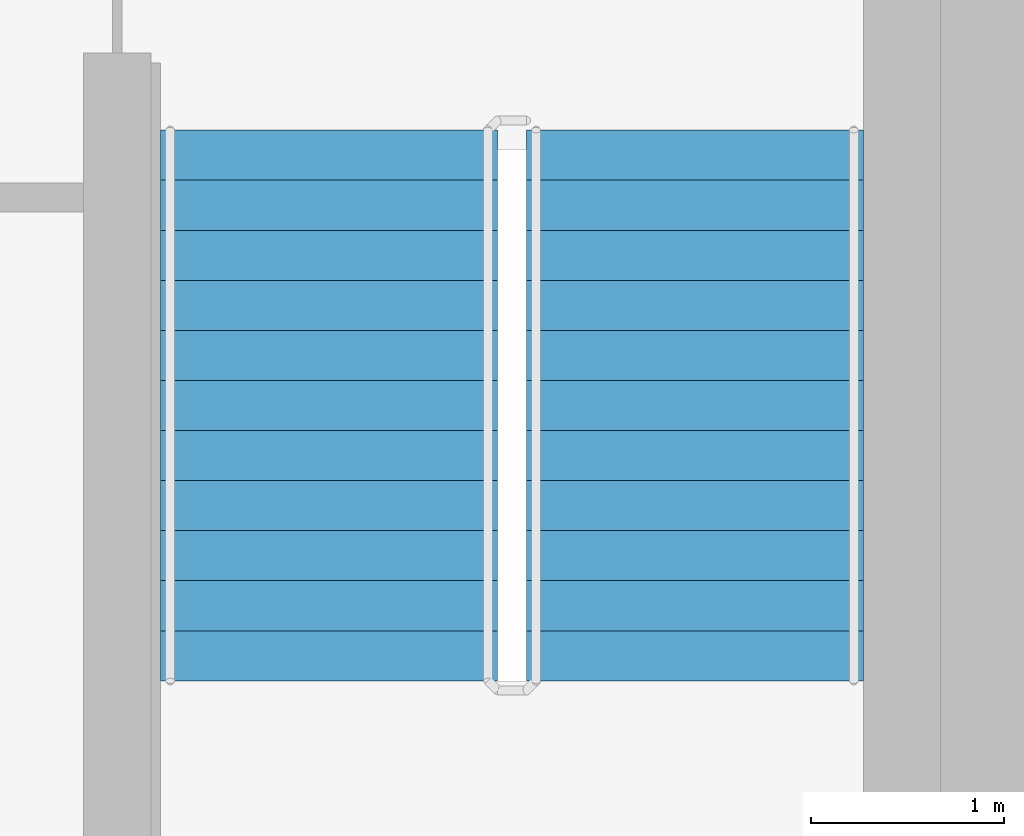
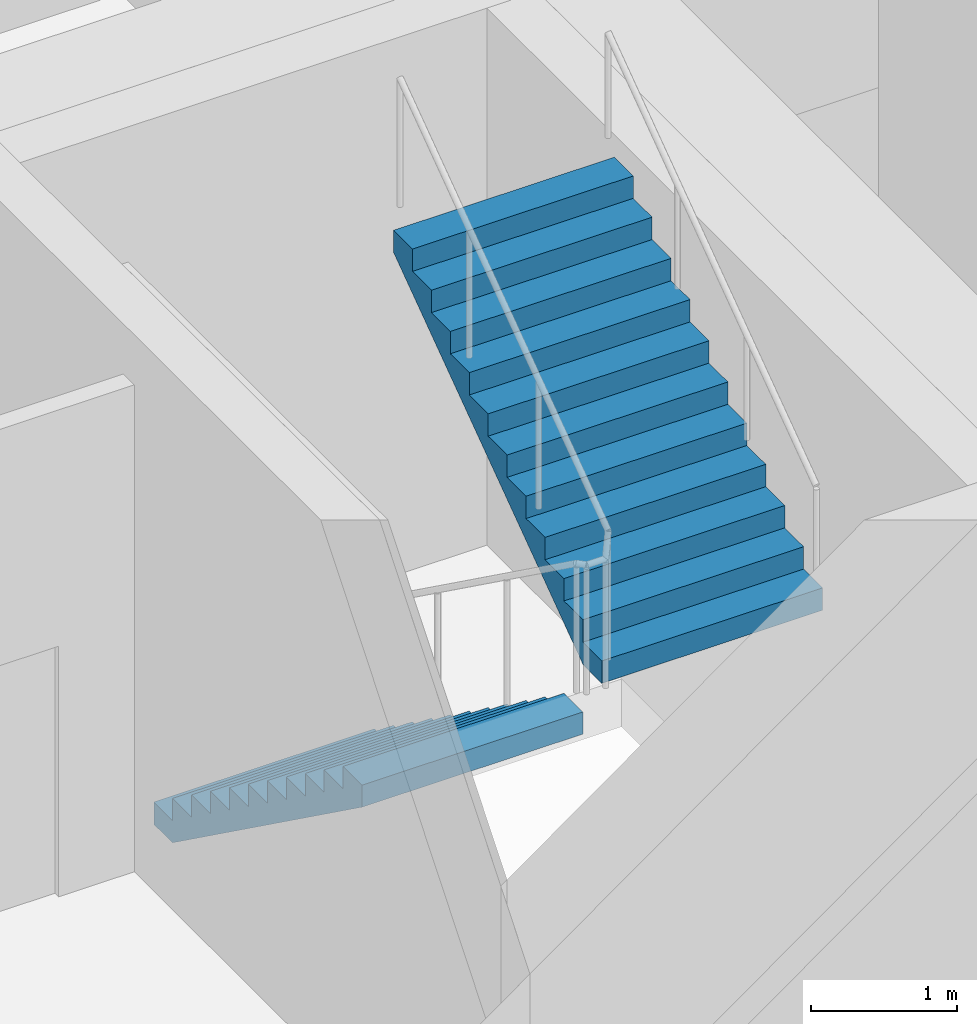
# One storey, part 20 of 26: 2 stair flights, 1 element without a shape of its own.
"""IFC4 building model written with IfcOpenShell, lengths in metres."""

from ifc_helpers import new_model, si_unit, direction, frame, origin, place, context, subcontext, project, spatial, faceted_brep, material, type_object, element, aggregate, save


model = new_model("IFC4")

# Units and contexts
model_context = context("Model", 3, precision=1e-05, world=origin(), true_north=direction((0.0, 1.0)))
body_context = subcontext(model_context, "Body", "Model", "MODEL_VIEW")
ifc_project = project(units=[si_unit("LENGTHUNIT", "METRE"), si_unit("AREAUNIT", "SQUARE_METRE"), si_unit("VOLUMEUNIT", "CUBIC_METRE"), si_unit("PLANEANGLEUNIT", "RADIAN"), si_unit("MASSUNIT", "GRAM", prefix="KILO")], contexts=[model_context])

# Site, building, storey
site_placement = place(None, origin())
site = spatial("IfcSite", under=ifc_project, at=site_placement, CompositionType="ELEMENT")
building_placement = place(site_placement, origin())
building = spatial("IfcBuilding", under=site, at=building_placement, Name="Ipe Terrace Towers", CompositionType="ELEMENT")
storey_placement = place(building_placement, frame((0.0, 0.0, 181.300048828125)))
storey = spatial("IfcBuildingStorey", under=building, at=storey_placement, Name="L50", CompositionType="ELEMENT", Elevation=181.300048828125)

# Stair, stair flights
ifc_material_1 = material(Name="Concrete C30/37", Category="concrete")
stair_type = type_object("IfcStairType", Name="Protected exit stair", PredefinedType="HALF_TURN_STAIR", material=ifc_material_1)
stair_placement = place(storey_placement, origin())
stair = element("IfcStair", 1, at=stair_placement, inside=storey, type_object=stair_type, Name="L50 Exit stair T2-C2", PredefinedType="HALF_TURN_STAIR")
ifc_material_2 = material(Name="Concrete C30/37", Category="concrete")
stair_flight_type = type_object("IfcStairFlightType", Name="Exit stair flight 1750", PredefinedType="STRAIGHT", material=ifc_material_2)
stair_flight_1_placement = place(storey_placement, frame((38.77490234375, -9.699951171875, 0.0), z_axis=(0.0, 0.0, 1.0), x_axis=(0.0, -1.0, 0.0)))
stair_flight_1 = element("IfcStairFlight", 2, at=stair_flight_1_placement, type_object=stair_flight_type, Name="T2-ST2 flight 1", NumberOfRisers=12, NumberOfTreads=11, PredefinedType="STRAIGHT", RiserHeight=0.1875, TreadLength=0.26, context=body_context, shape_type="Brep", body=[
    faceted_brep([(0.25634765625, -0.875, 0.0), (2.860107421875, -0.875, 1.877685546875), (2.860107421875, -0.875, 2.0625), (2.60009765625, -0.875, 2.0625), (2.60009765625, -0.875, 1.875), (2.340087890625, -0.875, 1.875), (2.340087890625, -0.875, 1.6875), (2.080078125, -0.875, 1.6875), (2.080078125, -0.875, 1.5), (1.820068359375, -0.875, 1.5), (1.820068359375, -0.875, 1.3125), (1.56005859375, -0.875, 1.3125), (1.56005859375, -0.875, 1.125), (1.300048828125, -0.875, 1.125), (1.300048828125, -0.875, 0.9375), (1.0400390625, -0.875, 0.9375), (1.0400390625, -0.875, 0.75), (0.780029296875, -0.875, 0.75), (0.780029296875, -0.875, 0.5625), (0.52001953125, -0.875, 0.5625), (0.52001953125, -0.875, 0.375), (0.260009765625, -0.875, 0.375), (0.260009765625, -0.875, 0.1875), (0.0, -0.875, 0.1875), (0.0, -0.875, 0.0), (0.0, 0.875, 0.0), (0.0, 0.875, 0.1875), (0.260009765625, 0.875, 0.1875), (0.260009765625, 0.875, 0.375), (0.52001953125, 0.875, 0.375), (0.52001953125, 0.875, 0.5625), (0.780029296875, 0.875, 0.5625), (0.780029296875, 0.875, 0.75), (1.0400390625, 0.875, 0.75), (1.0400390625, 0.875, 0.9375), (1.300048828125, 0.875, 0.9375), (1.300048828125, 0.875, 1.125), (1.56005859375, 0.875, 1.125), (1.56005859375, 0.875, 1.3125), (1.820068359375, 0.875, 1.3125), (1.820068359375, 0.875, 1.5), (2.080078125, 0.875, 1.5), (2.080078125, 0.875, 1.6875), (2.340087890625, 0.875, 1.6875), (2.340087890625, 0.875, 1.875), (2.60009765625, 0.875, 1.875), (2.60009765625, 0.875, 2.0625), (2.860107421875, 0.875, 2.0625), (2.860107421875, 0.875, 1.877685546875), (0.25634765625, 0.875, 0.0), (0.0, -0.300048828125, 0.1875), (0.0, -0.1201171875, 0.1875), (0.0, -0.06005859375, 0.1875), (0.0, -0.030029296875, 0.1875), (0.0, -0.010009765625, 0.1875), (0.0, 0.0, 0.1875), (0.0, 0.010009765625, 0.1875), (0.0, 0.030029296875, 0.1875), (0.0, 0.06005859375, 0.1875), (0.0, 0.1201171875, 0.1875), (0.0, 0.300048828125, 0.1875), (0.0, 0.300048828125, 0.0), (0.0, 0.1201171875, 0.0), (0.0, 0.06005859375, 0.0), (0.0, 0.030029296875, 0.0), (0.0, 0.010009765625, 0.0), (0.0, 0.0, 0.0), (0.0, -0.010009765625, 0.0), (0.0, -0.030029296875, 0.0), (0.0, -0.06005859375, 0.0), (0.0, -0.1201171875, 0.0), (0.0, -0.300048828125, 0.0), (0.260009765625, -0.300048828125, 0.1875), (0.260009765625, -0.1201171875, 0.1875), (0.260009765625, -0.06005859375, 0.1875), (0.260009765625, -0.030029296875, 0.1875), (0.260009765625, -0.010009765625, 0.1875), (0.260009765625, 0.0, 0.1875), (0.260009765625, 0.010009765625, 0.1875), (0.260009765625, 0.030029296875, 0.1875), (0.260009765625, 0.06005859375, 0.1875), (0.260009765625, 0.1201171875, 0.1875), (0.260009765625, 0.300048828125, 0.1875), (0.260009765625, -0.300048828125, 0.375), (0.260009765625, -0.1201171875, 0.375), (0.260009765625, -0.06005859375, 0.375), (0.260009765625, -0.030029296875, 0.375), (0.260009765625, -0.010009765625, 0.375), (0.260009765625, 0.0, 0.375), (0.260009765625, 0.010009765625, 0.375), (0.260009765625, 0.030029296875, 0.375), (0.260009765625, 0.06005859375, 0.375), (0.260009765625, 0.1201171875, 0.375), (0.260009765625, 0.300048828125, 0.375), (0.52001953125, -0.300048828125, 0.375), (0.52001953125, -0.1201171875, 0.375), (0.52001953125, -0.06005859375, 0.375), (0.52001953125, -0.030029296875, 0.375), (0.52001953125, -0.010009765625, 0.375), (0.52001953125, 0.0, 0.375), (0.52001953125, 0.010009765625, 0.375), (0.52001953125, 0.030029296875, 0.375), (0.52001953125, 0.06005859375, 0.375), (0.52001953125, 0.1201171875, 0.375), (0.52001953125, 0.300048828125, 0.375), (0.52001953125, -0.300048828125, 0.5625), (0.52001953125, -0.1201171875, 0.5625), (0.52001953125, -0.06005859375, 0.5625), (0.52001953125, -0.030029296875, 0.5625), (0.52001953125, -0.010009765625, 0.5625), (0.52001953125, 0.0, 0.5625), (0.52001953125, 0.010009765625, 0.5625), (0.52001953125, 0.030029296875, 0.5625), (0.52001953125, 0.06005859375, 0.5625), (0.52001953125, 0.1201171875, 0.5625), (0.52001953125, 0.300048828125, 0.5625), (0.780029296875, -0.300048828125, 0.5625), (0.780029296875, -0.1201171875, 0.5625), (0.780029296875, -0.06005859375, 0.5625), (0.780029296875, -0.030029296875, 0.5625), (0.780029296875, -0.010009765625, 0.5625), (0.780029296875, 0.0, 0.5625), (0.780029296875, 0.010009765625, 0.5625), (0.780029296875, 0.030029296875, 0.5625), (0.780029296875, 0.06005859375, 0.5625), (0.780029296875, 0.1201171875, 0.5625), (0.780029296875, 0.300048828125, 0.5625), (0.780029296875, -0.300048828125, 0.75), (0.780029296875, -0.1201171875, 0.75), (0.780029296875, -0.06005859375, 0.75), (0.780029296875, -0.030029296875, 0.75), (0.780029296875, -0.010009765625, 0.75), (0.780029296875, 0.0, 0.75), (0.780029296875, 0.010009765625, 0.75), (0.780029296875, 0.030029296875, 0.75), (0.780029296875, 0.06005859375, 0.75), (0.780029296875, 0.1201171875, 0.75), (0.780029296875, 0.300048828125, 0.75), (1.0400390625, -0.300048828125, 0.75), (1.0400390625, -0.1201171875, 0.75), (1.0400390625, -0.06005859375, 0.75), (1.0400390625, -0.030029296875, 0.75), (1.0400390625, -0.010009765625, 0.75), (1.0400390625, 0.0, 0.75), (1.0400390625, 0.010009765625, 0.75), (1.0400390625, 0.030029296875, 0.75), (1.0400390625, 0.06005859375, 0.75), (1.0400390625, 0.1201171875, 0.75), (1.0400390625, 0.300048828125, 0.75), (1.0400390625, -0.300048828125, 0.9375), (1.0400390625, -0.1201171875, 0.9375), (1.0400390625, -0.06005859375, 0.9375), (1.0400390625, -0.030029296875, 0.9375), (1.0400390625, -0.010009765625, 0.9375), (1.0400390625, 0.0, 0.9375), (1.0400390625, 0.010009765625, 0.9375), (1.0400390625, 0.030029296875, 0.9375), (1.0400390625, 0.06005859375, 0.9375), (1.0400390625, 0.1201171875, 0.9375), (1.0400390625, 0.300048828125, 0.9375), (1.300048828125, -0.300048828125, 0.9375), (1.300048828125, -0.1201171875, 0.9375), (1.300048828125, -0.06005859375, 0.9375), (1.300048828125, -0.030029296875, 0.9375), (1.300048828125, -0.010009765625, 0.9375), (1.300048828125, 0.0, 0.9375), (1.300048828125, 0.010009765625, 0.9375), (1.300048828125, 0.030029296875, 0.9375), (1.300048828125, 0.06005859375, 0.9375), (1.300048828125, 0.1201171875, 0.9375), (1.300048828125, 0.300048828125, 0.9375), (1.300048828125, -0.300048828125, 1.125), (1.300048828125, -0.1201171875, 1.125), (1.300048828125, -0.06005859375, 1.125), (1.300048828125, -0.030029296875, 1.125), (1.300048828125, -0.010009765625, 1.125), (1.300048828125, 0.0, 1.125), (1.300048828125, 0.010009765625, 1.125), (1.300048828125, 0.030029296875, 1.125), (1.300048828125, 0.06005859375, 1.125), (1.300048828125, 0.1201171875, 1.125), (1.300048828125, 0.300048828125, 1.125), (1.56005859375, -0.300048828125, 1.125), (1.56005859375, -0.1201171875, 1.125), (1.56005859375, -0.06005859375, 1.125), (1.56005859375, -0.030029296875, 1.125), (1.56005859375, -0.010009765625, 1.125), (1.56005859375, 0.0, 1.125), (1.56005859375, 0.010009765625, 1.125), (1.56005859375, 0.030029296875, 1.125), (1.56005859375, 0.06005859375, 1.125), (1.56005859375, 0.1201171875, 1.125), (1.56005859375, 0.300048828125, 1.125), (1.56005859375, -0.300048828125, 1.3125), (1.56005859375, -0.1201171875, 1.3125), (1.56005859375, -0.06005859375, 1.3125), (1.56005859375, -0.030029296875, 1.3125), (1.56005859375, -0.010009765625, 1.3125), (1.56005859375, 0.0, 1.3125), (1.56005859375, 0.010009765625, 1.3125), (1.56005859375, 0.030029296875, 1.3125), (1.56005859375, 0.06005859375, 1.3125), (1.56005859375, 0.1201171875, 1.3125), (1.56005859375, 0.300048828125, 1.3125), (1.820068359375, -0.300048828125, 1.3125), (1.820068359375, -0.1201171875, 1.3125), (1.820068359375, -0.06005859375, 1.3125), (1.820068359375, -0.030029296875, 1.3125), (1.820068359375, -0.010009765625, 1.3125), (1.820068359375, 0.0, 1.3125), (1.820068359375, 0.010009765625, 1.3125), (1.820068359375, 0.030029296875, 1.3125), (1.820068359375, 0.06005859375, 1.3125), (1.820068359375, 0.1201171875, 1.3125), (1.820068359375, 0.300048828125, 1.3125), (1.820068359375, -0.300048828125, 1.5), (1.820068359375, -0.1201171875, 1.5), (1.820068359375, -0.06005859375, 1.5), (1.820068359375, -0.030029296875, 1.5), (1.820068359375, -0.010009765625, 1.5), (1.820068359375, 0.0, 1.5), (1.820068359375, 0.010009765625, 1.5), (1.820068359375, 0.030029296875, 1.5), (1.820068359375, 0.06005859375, 1.5), (1.820068359375, 0.1201171875, 1.5), (1.820068359375, 0.300048828125, 1.5), (2.080078125, -0.300048828125, 1.5), (2.080078125, -0.1201171875, 1.5), (2.080078125, -0.06005859375, 1.5), (2.080078125, -0.030029296875, 1.5), (2.080078125, -0.010009765625, 1.5), (2.080078125, 0.0, 1.5), (2.080078125, 0.010009765625, 1.5), (2.080078125, 0.030029296875, 1.5), (2.080078125, 0.06005859375, 1.5), (2.080078125, 0.1201171875, 1.5), (2.080078125, 0.300048828125, 1.5), (2.080078125, -0.300048828125, 1.6875), (2.080078125, -0.1201171875, 1.6875), (2.080078125, -0.06005859375, 1.6875), (2.080078125, -0.030029296875, 1.6875), (2.080078125, -0.010009765625, 1.6875), (2.080078125, 0.0, 1.6875), (2.080078125, 0.010009765625, 1.6875), (2.080078125, 0.030029296875, 1.6875), (2.080078125, 0.06005859375, 1.6875), (2.080078125, 0.1201171875, 1.6875), (2.080078125, 0.300048828125, 1.6875), (2.340087890625, -0.300048828125, 1.6875), (2.340087890625, -0.1201171875, 1.6875), (2.340087890625, -0.06005859375, 1.6875), (2.340087890625, -0.030029296875, 1.6875), (2.340087890625, -0.010009765625, 1.6875), (2.340087890625, 0.0, 1.6875), (2.340087890625, 0.010009765625, 1.6875), (2.340087890625, 0.030029296875, 1.6875), (2.340087890625, 0.06005859375, 1.6875), (2.340087890625, 0.1201171875, 1.6875), (2.340087890625, 0.300048828125, 1.6875), (2.340087890625, -0.300048828125, 1.875), (2.340087890625, -0.1201171875, 1.875), (2.340087890625, -0.06005859375, 1.875), (2.340087890625, -0.030029296875, 1.875), (2.340087890625, -0.010009765625, 1.875), (2.340087890625, 0.0, 1.875), (2.340087890625, 0.010009765625, 1.875), (2.340087890625, 0.030029296875, 1.875), (2.340087890625, 0.06005859375, 1.875), (2.340087890625, 0.1201171875, 1.875), (2.340087890625, 0.300048828125, 1.875), (2.60009765625, -0.300048828125, 1.875), (2.60009765625, -0.1201171875, 1.875), (2.60009765625, -0.06005859375, 1.875), (2.60009765625, -0.030029296875, 1.875), (2.60009765625, -0.010009765625, 1.875), (2.60009765625, 0.0, 1.875), (2.60009765625, 0.010009765625, 1.875), (2.60009765625, 0.030029296875, 1.875), (2.60009765625, 0.06005859375, 1.875), (2.60009765625, 0.1201171875, 1.875), (2.60009765625, 0.300048828125, 1.875), (2.60009765625, -0.300048828125, 2.0625), (2.60009765625, -0.1201171875, 2.0625), (2.60009765625, -0.06005859375, 2.0625), (2.60009765625, -0.030029296875, 2.0625), (2.60009765625, -0.010009765625, 2.0625), (2.60009765625, 0.0, 2.0625), (2.60009765625, 0.010009765625, 2.0625), (2.60009765625, 0.030029296875, 2.0625), (2.60009765625, 0.06005859375, 2.0625), (2.60009765625, 0.1201171875, 2.0625), (2.60009765625, 0.300048828125, 2.0625), (2.860107421875, -0.300048828125, 2.0625), (2.860107421875, -0.1201171875, 2.0625), (2.860107421875, -0.06005859375, 2.0625), (2.860107421875, -0.030029296875, 2.0625), (2.860107421875, -0.010009765625, 2.0625), (2.860107421875, 0.0, 2.0625), (2.860107421875, 0.010009765625, 2.0625), (2.860107421875, 0.030029296875, 2.0625), (2.860107421875, 0.06005859375, 2.0625), (2.860107421875, 0.1201171875, 2.0625), (2.860107421875, 0.300048828125, 2.0625), (2.860107421875, -0.300048828125, 1.877685546875), (2.860107421875, -0.1201171875, 1.877685546875), (2.860107421875, -0.06005859375, 1.877685546875), (2.860107421875, -0.030029296875, 1.877685546875), (2.860107421875, -0.010009765625, 1.877685546875), (2.860107421875, 0.0, 1.877685546875), (2.860107421875, 0.010009765625, 1.877685546875), (2.860107421875, 0.030029296875, 1.877685546875), (2.860107421875, 0.06005859375, 1.877685546875), (2.860107421875, 0.1201171875, 1.877685546875), (2.860107421875, 0.300048828125, 1.877685546875), (0.25634765625, -0.300048828125, 0.0), (0.25634765625, -0.1201171875, 0.0), (0.25634765625, -0.06005859375, 0.0), (0.25634765625, -0.030029296875, 0.0), (0.25634765625, -0.010009765625, 0.0), (0.25634765625, 0.0, 0.0), (0.25634765625, 0.010009765625, 0.0), (0.25634765625, 0.030029296875, 0.0), (0.25634765625, 0.06005859375, 0.0), (0.25634765625, 0.1201171875, 0.0), (0.25634765625, 0.300048828125, 0.0)], [[[0, 1, 2, 3, 4, 5, 6, 7, 8, 9, 10, 11, 12, 13, 14, 15, 16, 17, 18, 19, 20, 21, 22, 23, 24]], [[25, 26, 27, 28, 29, 30, 31, 32, 33, 34, 35, 36, 37, 38, 39, 40, 41, 42, 43, 44, 45, 46, 47, 48, 49]], [[23, 50, 51, 52, 53, 54, 55, 56, 57, 58, 59, 60, 26, 25, 61, 62, 63, 64, 65, 66, 67, 68, 69, 70, 71, 24]], [[22, 72, 73, 74, 75, 76, 77, 78, 79, 80, 81, 82, 27, 26, 60, 59, 58, 57, 56, 55, 54, 53, 52, 51, 50, 23]], [[21, 83, 84, 85, 86, 87, 88, 89, 90, 91, 92, 93, 28, 27, 82, 81, 80, 79, 78, 77, 76, 75, 74, 73, 72, 22]], [[20, 94, 95, 96, 97, 98, 99, 100, 101, 102, 103, 104, 29, 28, 93, 92, 91, 90, 89, 88, 87, 86, 85, 84, 83, 21]], [[19, 105, 106, 107, 108, 109, 110, 111, 112, 113, 114, 115, 30, 29, 104, 103, 102, 101, 100, 99, 98, 97, 96, 95, 94, 20]], [[18, 116, 117, 118, 119, 120, 121, 122, 123, 124, 125, 126, 31, 30, 115, 114, 113, 112, 111, 110, 109, 108, 107, 106, 105, 19]], [[17, 127, 128, 129, 130, 131, 132, 133, 134, 135, 136, 137, 32, 31, 126, 125, 124, 123, 122, 121, 120, 119, 118, 117, 116, 18]], [[16, 138, 139, 140, 141, 142, 143, 144, 145, 146, 147, 148, 33, 32, 137, 136, 135, 134, 133, 132, 131, 130, 129, 128, 127, 17]], [[15, 149, 150, 151, 152, 153, 154, 155, 156, 157, 158, 159, 34, 33, 148, 147, 146, 145, 144, 143, 142, 141, 140, 139, 138, 16]], [[14, 160, 161, 162, 163, 164, 165, 166, 167, 168, 169, 170, 35, 34, 159, 158, 157, 156, 155, 154, 153, 152, 151, 150, 149, 15]], [[13, 171, 172, 173, 174, 175, 176, 177, 178, 179, 180, 181, 36, 35, 170, 169, 168, 167, 166, 165, 164, 163, 162, 161, 160, 14]], [[12, 182, 183, 184, 185, 186, 187, 188, 189, 190, 191, 192, 37, 36, 181, 180, 179, 178, 177, 176, 175, 174, 173, 172, 171, 13]], [[11, 193, 194, 195, 196, 197, 198, 199, 200, 201, 202, 203, 38, 37, 192, 191, 190, 189, 188, 187, 186, 185, 184, 183, 182, 12]], [[10, 204, 205, 206, 207, 208, 209, 210, 211, 212, 213, 214, 39, 38, 203, 202, 201, 200, 199, 198, 197, 196, 195, 194, 193, 11]], [[9, 215, 216, 217, 218, 219, 220, 221, 222, 223, 224, 225, 40, 39, 214, 213, 212, 211, 210, 209, 208, 207, 206, 205, 204, 10]], [[8, 226, 227, 228, 229, 230, 231, 232, 233, 234, 235, 236, 41, 40, 225, 224, 223, 222, 221, 220, 219, 218, 217, 216, 215, 9]], [[7, 237, 238, 239, 240, 241, 242, 243, 244, 245, 246, 247, 42, 41, 236, 235, 234, 233, 232, 231, 230, 229, 228, 227, 226, 8]], [[6, 248, 249, 250, 251, 252, 253, 254, 255, 256, 257, 258, 43, 42, 247, 246, 245, 244, 243, 242, 241, 240, 239, 238, 237, 7]], [[5, 259, 260, 261, 262, 263, 264, 265, 266, 267, 268, 269, 44, 43, 258, 257, 256, 255, 254, 253, 252, 251, 250, 249, 248, 6]], [[4, 270, 271, 272, 273, 274, 275, 276, 277, 278, 279, 280, 45, 44, 269, 268, 267, 266, 265, 264, 263, 262, 261, 260, 259, 5]], [[3, 281, 282, 283, 284, 285, 286, 287, 288, 289, 290, 291, 46, 45, 280, 279, 278, 277, 276, 275, 274, 273, 272, 271, 270, 4]], [[2, 292, 293, 294, 295, 296, 297, 298, 299, 300, 301, 302, 47, 46, 291, 290, 289, 288, 287, 286, 285, 284, 283, 282, 281, 3]], [[1, 303, 304, 305, 306, 307, 308, 309, 310, 311, 312, 313, 48, 47, 302, 301, 300, 299, 298, 297, 296, 295, 294, 293, 292, 2]], [[0, 314, 315, 316, 317, 318, 319, 320, 321, 322, 323, 324, 49, 48, 313, 312, 311, 310, 309, 308, 307, 306, 305, 304, 303, 1]], [[24, 71, 70, 69, 68, 67, 66, 65, 64, 63, 62, 61, 25, 49, 324, 323, 322, 321, 320, 319, 318, 317, 316, 315, 314, 0]]]),
])
stair_flight_2_placement = place(storey_placement, frame((40.675048828125, -12.56005859375, 2.25), z_axis=(0.0, 0.0, 1.0), x_axis=(0.0, 1.0, 0.0)))
stair_flight_2 = element("IfcStairFlight", 3, at=stair_flight_2_placement, type_object=stair_flight_type, Name="T2-ST2 flight 2", NumberOfRisers=12, NumberOfTreads=11, PredefinedType="STRAIGHT", RiserHeight=0.1875, TreadLength=0.26, context=body_context, shape_type="Brep", body=[
    faceted_brep([(0.25634765625, -0.875, 0.0), (2.860107421875, -0.875, 1.877685546875), (2.860107421875, -0.875, 2.0625), (2.60009765625, -0.875, 2.0625), (2.60009765625, -0.875, 1.875), (2.340087890625, -0.875, 1.875), (2.340087890625, -0.875, 1.6875), (2.080078125, -0.875, 1.6875), (2.080078125, -0.875, 1.5), (1.820068359375, -0.875, 1.5), (1.820068359375, -0.875, 1.3125), (1.56005859375, -0.875, 1.3125), (1.56005859375, -0.875, 1.125), (1.300048828125, -0.875, 1.125), (1.300048828125, -0.875, 0.9375), (1.0400390625, -0.875, 0.9375), (1.0400390625, -0.875, 0.75), (0.780029296875, -0.875, 0.75), (0.780029296875, -0.875, 0.5625), (0.52001953125, -0.875, 0.5625), (0.52001953125, -0.875, 0.375), (0.260009765625, -0.875, 0.375), (0.260009765625, -0.875, 0.1875), (0.0, -0.875, 0.1875), (0.0, -0.875, 0.0), (0.0, 0.875, 0.0), (0.0, 0.875, 0.1875), (0.260009765625, 0.875, 0.1875), (0.260009765625, 0.875, 0.375), (0.52001953125, 0.875, 0.375), (0.52001953125, 0.875, 0.5625), (0.780029296875, 0.875, 0.5625), (0.780029296875, 0.875, 0.75), (1.0400390625, 0.875, 0.75), (1.0400390625, 0.875, 0.9375), (1.300048828125, 0.875, 0.9375), (1.300048828125, 0.875, 1.125), (1.56005859375, 0.875, 1.125), (1.56005859375, 0.875, 1.3125), (1.820068359375, 0.875, 1.3125), (1.820068359375, 0.875, 1.5), (2.080078125, 0.875, 1.5), (2.080078125, 0.875, 1.6875), (2.340087890625, 0.875, 1.6875), (2.340087890625, 0.875, 1.875), (2.60009765625, 0.875, 1.875), (2.60009765625, 0.875, 2.0625), (2.860107421875, 0.875, 2.0625), (2.860107421875, 0.875, 1.877685546875), (0.25634765625, 0.875, 0.0), (0.0, -0.300048828125, 0.1875), (0.0, -0.1201171875, 0.1875), (0.0, -0.06005859375, 0.1875), (0.0, -0.030029296875, 0.1875), (0.0, -0.010009765625, 0.1875), (0.0, 0.0, 0.1875), (0.0, 0.010009765625, 0.1875), (0.0, 0.030029296875, 0.1875), (0.0, 0.06005859375, 0.1875), (0.0, 0.1201171875, 0.1875), (0.0, 0.300048828125, 0.1875), (0.0, 0.300048828125, 0.0), (0.0, 0.1201171875, 0.0), (0.0, 0.06005859375, 0.0), (0.0, 0.030029296875, 0.0), (0.0, 0.010009765625, 0.0), (0.0, 0.0, 0.0), (0.0, -0.010009765625, 0.0), (0.0, -0.030029296875, 0.0), (0.0, -0.06005859375, 0.0), (0.0, -0.1201171875, 0.0), (0.0, -0.300048828125, 0.0), (0.260009765625, -0.300048828125, 0.1875), (0.260009765625, -0.1201171875, 0.1875), (0.260009765625, -0.06005859375, 0.1875), (0.260009765625, -0.030029296875, 0.1875), (0.260009765625, -0.010009765625, 0.1875), (0.260009765625, 0.0, 0.1875), (0.260009765625, 0.010009765625, 0.1875), (0.260009765625, 0.030029296875, 0.1875), (0.260009765625, 0.06005859375, 0.1875), (0.260009765625, 0.1201171875, 0.1875), (0.260009765625, 0.300048828125, 0.1875), (0.260009765625, -0.300048828125, 0.375), (0.260009765625, -0.1201171875, 0.375), (0.260009765625, -0.06005859375, 0.375), (0.260009765625, -0.030029296875, 0.375), (0.260009765625, -0.010009765625, 0.375), (0.260009765625, 0.0, 0.375), (0.260009765625, 0.010009765625, 0.375), (0.260009765625, 0.030029296875, 0.375), (0.260009765625, 0.06005859375, 0.375), (0.260009765625, 0.1201171875, 0.375), (0.260009765625, 0.300048828125, 0.375), (0.52001953125, -0.300048828125, 0.375), (0.52001953125, -0.1201171875, 0.375), (0.52001953125, -0.06005859375, 0.375), (0.52001953125, -0.030029296875, 0.375), (0.52001953125, -0.010009765625, 0.375), (0.52001953125, 0.0, 0.375), (0.52001953125, 0.010009765625, 0.375), (0.52001953125, 0.030029296875, 0.375), (0.52001953125, 0.06005859375, 0.375), (0.52001953125, 0.1201171875, 0.375), (0.52001953125, 0.300048828125, 0.375), (0.52001953125, -0.300048828125, 0.5625), (0.52001953125, -0.1201171875, 0.5625), (0.52001953125, -0.06005859375, 0.5625), (0.52001953125, -0.030029296875, 0.5625), (0.52001953125, -0.010009765625, 0.5625), (0.52001953125, 0.0, 0.5625), (0.52001953125, 0.010009765625, 0.5625), (0.52001953125, 0.030029296875, 0.5625), (0.52001953125, 0.06005859375, 0.5625), (0.52001953125, 0.1201171875, 0.5625), (0.52001953125, 0.300048828125, 0.5625), (0.780029296875, -0.300048828125, 0.5625), (0.780029296875, -0.1201171875, 0.5625), (0.780029296875, -0.06005859375, 0.5625), (0.780029296875, -0.030029296875, 0.5625), (0.780029296875, -0.010009765625, 0.5625), (0.780029296875, 0.0, 0.5625), (0.780029296875, 0.010009765625, 0.5625), (0.780029296875, 0.030029296875, 0.5625), (0.780029296875, 0.06005859375, 0.5625), (0.780029296875, 0.1201171875, 0.5625), (0.780029296875, 0.300048828125, 0.5625), (0.780029296875, -0.300048828125, 0.75), (0.780029296875, -0.1201171875, 0.75), (0.780029296875, -0.06005859375, 0.75), (0.780029296875, -0.030029296875, 0.75), (0.780029296875, -0.010009765625, 0.75), (0.780029296875, 0.0, 0.75), (0.780029296875, 0.010009765625, 0.75), (0.780029296875, 0.030029296875, 0.75), (0.780029296875, 0.06005859375, 0.75), (0.780029296875, 0.1201171875, 0.75), (0.780029296875, 0.300048828125, 0.75), (1.0400390625, -0.300048828125, 0.75), (1.0400390625, -0.1201171875, 0.75), (1.0400390625, -0.06005859375, 0.75), (1.0400390625, -0.030029296875, 0.75), (1.0400390625, -0.010009765625, 0.75), (1.0400390625, 0.0, 0.75), (1.0400390625, 0.010009765625, 0.75), (1.0400390625, 0.030029296875, 0.75), (1.0400390625, 0.06005859375, 0.75), (1.0400390625, 0.1201171875, 0.75), (1.0400390625, 0.300048828125, 0.75), (1.0400390625, -0.300048828125, 0.9375), (1.0400390625, -0.1201171875, 0.9375), (1.0400390625, -0.06005859375, 0.9375), (1.0400390625, -0.030029296875, 0.9375), (1.0400390625, -0.010009765625, 0.9375), (1.0400390625, 0.0, 0.9375), (1.0400390625, 0.010009765625, 0.9375), (1.0400390625, 0.030029296875, 0.9375), (1.0400390625, 0.06005859375, 0.9375), (1.0400390625, 0.1201171875, 0.9375), (1.0400390625, 0.300048828125, 0.9375), (1.300048828125, -0.300048828125, 0.9375), (1.300048828125, -0.1201171875, 0.9375), (1.300048828125, -0.06005859375, 0.9375), (1.300048828125, -0.030029296875, 0.9375), (1.300048828125, -0.010009765625, 0.9375), (1.300048828125, 0.0, 0.9375), (1.300048828125, 0.010009765625, 0.9375), (1.300048828125, 0.030029296875, 0.9375), (1.300048828125, 0.06005859375, 0.9375), (1.300048828125, 0.1201171875, 0.9375), (1.300048828125, 0.300048828125, 0.9375), (1.300048828125, -0.300048828125, 1.125), (1.300048828125, -0.1201171875, 1.125), (1.300048828125, -0.06005859375, 1.125), (1.300048828125, -0.030029296875, 1.125), (1.300048828125, -0.010009765625, 1.125), (1.300048828125, 0.0, 1.125), (1.300048828125, 0.010009765625, 1.125), (1.300048828125, 0.030029296875, 1.125), (1.300048828125, 0.06005859375, 1.125), (1.300048828125, 0.1201171875, 1.125), (1.300048828125, 0.300048828125, 1.125), (1.56005859375, -0.300048828125, 1.125), (1.56005859375, -0.1201171875, 1.125), (1.56005859375, -0.06005859375, 1.125), (1.56005859375, -0.030029296875, 1.125), (1.56005859375, -0.010009765625, 1.125), (1.56005859375, 0.0, 1.125), (1.56005859375, 0.010009765625, 1.125), (1.56005859375, 0.030029296875, 1.125), (1.56005859375, 0.06005859375, 1.125), (1.56005859375, 0.1201171875, 1.125), (1.56005859375, 0.300048828125, 1.125), (1.56005859375, -0.300048828125, 1.3125), (1.56005859375, -0.1201171875, 1.3125), (1.56005859375, -0.06005859375, 1.3125), (1.56005859375, -0.030029296875, 1.3125), (1.56005859375, -0.010009765625, 1.3125), (1.56005859375, 0.0, 1.3125), (1.56005859375, 0.010009765625, 1.3125), (1.56005859375, 0.030029296875, 1.3125), (1.56005859375, 0.06005859375, 1.3125), (1.56005859375, 0.1201171875, 1.3125), (1.56005859375, 0.300048828125, 1.3125), (1.820068359375, -0.300048828125, 1.3125), (1.820068359375, -0.1201171875, 1.3125), (1.820068359375, -0.06005859375, 1.3125), (1.820068359375, -0.030029296875, 1.3125), (1.820068359375, -0.010009765625, 1.3125), (1.820068359375, 0.0, 1.3125), (1.820068359375, 0.010009765625, 1.3125), (1.820068359375, 0.030029296875, 1.3125), (1.820068359375, 0.06005859375, 1.3125), (1.820068359375, 0.1201171875, 1.3125), (1.820068359375, 0.300048828125, 1.3125), (1.820068359375, -0.300048828125, 1.5), (1.820068359375, -0.1201171875, 1.5), (1.820068359375, -0.06005859375, 1.5), (1.820068359375, -0.030029296875, 1.5), (1.820068359375, -0.010009765625, 1.5), (1.820068359375, 0.0, 1.5), (1.820068359375, 0.010009765625, 1.5), (1.820068359375, 0.030029296875, 1.5), (1.820068359375, 0.06005859375, 1.5), (1.820068359375, 0.1201171875, 1.5), (1.820068359375, 0.300048828125, 1.5), (2.080078125, -0.300048828125, 1.5), (2.080078125, -0.1201171875, 1.5), (2.080078125, -0.06005859375, 1.5), (2.080078125, -0.030029296875, 1.5), (2.080078125, -0.010009765625, 1.5), (2.080078125, 0.0, 1.5), (2.080078125, 0.010009765625, 1.5), (2.080078125, 0.030029296875, 1.5), (2.080078125, 0.06005859375, 1.5), (2.080078125, 0.1201171875, 1.5), (2.080078125, 0.300048828125, 1.5), (2.080078125, -0.300048828125, 1.6875), (2.080078125, -0.1201171875, 1.6875), (2.080078125, -0.06005859375, 1.6875), (2.080078125, -0.030029296875, 1.6875), (2.080078125, -0.010009765625, 1.6875), (2.080078125, 0.0, 1.6875), (2.080078125, 0.010009765625, 1.6875), (2.080078125, 0.030029296875, 1.6875), (2.080078125, 0.06005859375, 1.6875), (2.080078125, 0.1201171875, 1.6875), (2.080078125, 0.300048828125, 1.6875), (2.340087890625, -0.300048828125, 1.6875), (2.340087890625, -0.1201171875, 1.6875), (2.340087890625, -0.06005859375, 1.6875), (2.340087890625, -0.030029296875, 1.6875), (2.340087890625, -0.010009765625, 1.6875), (2.340087890625, 0.0, 1.6875), (2.340087890625, 0.010009765625, 1.6875), (2.340087890625, 0.030029296875, 1.6875), (2.340087890625, 0.06005859375, 1.6875), (2.340087890625, 0.1201171875, 1.6875), (2.340087890625, 0.300048828125, 1.6875), (2.340087890625, -0.300048828125, 1.875), (2.340087890625, -0.1201171875, 1.875), (2.340087890625, -0.06005859375, 1.875), (2.340087890625, -0.030029296875, 1.875), (2.340087890625, -0.010009765625, 1.875), (2.340087890625, 0.0, 1.875), (2.340087890625, 0.010009765625, 1.875), (2.340087890625, 0.030029296875, 1.875), (2.340087890625, 0.06005859375, 1.875), (2.340087890625, 0.1201171875, 1.875), (2.340087890625, 0.300048828125, 1.875), (2.60009765625, -0.300048828125, 1.875), (2.60009765625, -0.1201171875, 1.875), (2.60009765625, -0.06005859375, 1.875), (2.60009765625, -0.030029296875, 1.875), (2.60009765625, -0.010009765625, 1.875), (2.60009765625, 0.0, 1.875), (2.60009765625, 0.010009765625, 1.875), (2.60009765625, 0.030029296875, 1.875), (2.60009765625, 0.06005859375, 1.875), (2.60009765625, 0.1201171875, 1.875), (2.60009765625, 0.300048828125, 1.875), (2.60009765625, -0.300048828125, 2.0625), (2.60009765625, -0.1201171875, 2.0625), (2.60009765625, -0.06005859375, 2.0625), (2.60009765625, -0.030029296875, 2.0625), (2.60009765625, -0.010009765625, 2.0625), (2.60009765625, 0.0, 2.0625), (2.60009765625, 0.010009765625, 2.0625), (2.60009765625, 0.030029296875, 2.0625), (2.60009765625, 0.06005859375, 2.0625), (2.60009765625, 0.1201171875, 2.0625), (2.60009765625, 0.300048828125, 2.0625), (2.860107421875, -0.300048828125, 2.0625), (2.860107421875, -0.1201171875, 2.0625), (2.860107421875, -0.06005859375, 2.0625), (2.860107421875, -0.030029296875, 2.0625), (2.860107421875, -0.010009765625, 2.0625), (2.860107421875, 0.0, 2.0625), (2.860107421875, 0.010009765625, 2.0625), (2.860107421875, 0.030029296875, 2.0625), (2.860107421875, 0.06005859375, 2.0625), (2.860107421875, 0.1201171875, 2.0625), (2.860107421875, 0.300048828125, 2.0625), (2.860107421875, -0.300048828125, 1.877685546875), (2.860107421875, -0.1201171875, 1.877685546875), (2.860107421875, -0.06005859375, 1.877685546875), (2.860107421875, -0.030029296875, 1.877685546875), (2.860107421875, -0.010009765625, 1.877685546875), (2.860107421875, 0.0, 1.877685546875), (2.860107421875, 0.010009765625, 1.877685546875), (2.860107421875, 0.030029296875, 1.877685546875), (2.860107421875, 0.06005859375, 1.877685546875), (2.860107421875, 0.1201171875, 1.877685546875), (2.860107421875, 0.300048828125, 1.877685546875), (0.25634765625, -0.300048828125, 0.0), (0.25634765625, -0.1201171875, 0.0), (0.25634765625, -0.06005859375, 0.0), (0.25634765625, -0.030029296875, 0.0), (0.25634765625, -0.010009765625, 0.0), (0.25634765625, 0.0, 0.0), (0.25634765625, 0.010009765625, 0.0), (0.25634765625, 0.030029296875, 0.0), (0.25634765625, 0.06005859375, 0.0), (0.25634765625, 0.1201171875, 0.0), (0.25634765625, 0.300048828125, 0.0)], [[[0, 1, 2, 3, 4, 5, 6, 7, 8, 9, 10, 11, 12, 13, 14, 15, 16, 17, 18, 19, 20, 21, 22, 23, 24]], [[25, 26, 27, 28, 29, 30, 31, 32, 33, 34, 35, 36, 37, 38, 39, 40, 41, 42, 43, 44, 45, 46, 47, 48, 49]], [[23, 50, 51, 52, 53, 54, 55, 56, 57, 58, 59, 60, 26, 25, 61, 62, 63, 64, 65, 66, 67, 68, 69, 70, 71, 24]], [[22, 72, 73, 74, 75, 76, 77, 78, 79, 80, 81, 82, 27, 26, 60, 59, 58, 57, 56, 55, 54, 53, 52, 51, 50, 23]], [[21, 83, 84, 85, 86, 87, 88, 89, 90, 91, 92, 93, 28, 27, 82, 81, 80, 79, 78, 77, 76, 75, 74, 73, 72, 22]], [[20, 94, 95, 96, 97, 98, 99, 100, 101, 102, 103, 104, 29, 28, 93, 92, 91, 90, 89, 88, 87, 86, 85, 84, 83, 21]], [[19, 105, 106, 107, 108, 109, 110, 111, 112, 113, 114, 115, 30, 29, 104, 103, 102, 101, 100, 99, 98, 97, 96, 95, 94, 20]], [[18, 116, 117, 118, 119, 120, 121, 122, 123, 124, 125, 126, 31, 30, 115, 114, 113, 112, 111, 110, 109, 108, 107, 106, 105, 19]], [[17, 127, 128, 129, 130, 131, 132, 133, 134, 135, 136, 137, 32, 31, 126, 125, 124, 123, 122, 121, 120, 119, 118, 117, 116, 18]], [[16, 138, 139, 140, 141, 142, 143, 144, 145, 146, 147, 148, 33, 32, 137, 136, 135, 134, 133, 132, 131, 130, 129, 128, 127, 17]], [[15, 149, 150, 151, 152, 153, 154, 155, 156, 157, 158, 159, 34, 33, 148, 147, 146, 145, 144, 143, 142, 141, 140, 139, 138, 16]], [[14, 160, 161, 162, 163, 164, 165, 166, 167, 168, 169, 170, 35, 34, 159, 158, 157, 156, 155, 154, 153, 152, 151, 150, 149, 15]], [[13, 171, 172, 173, 174, 175, 176, 177, 178, 179, 180, 181, 36, 35, 170, 169, 168, 167, 166, 165, 164, 163, 162, 161, 160, 14]], [[12, 182, 183, 184, 185, 186, 187, 188, 189, 190, 191, 192, 37, 36, 181, 180, 179, 178, 177, 176, 175, 174, 173, 172, 171, 13]], [[11, 193, 194, 195, 196, 197, 198, 199, 200, 201, 202, 203, 38, 37, 192, 191, 190, 189, 188, 187, 186, 185, 184, 183, 182, 12]], [[10, 204, 205, 206, 207, 208, 209, 210, 211, 212, 213, 214, 39, 38, 203, 202, 201, 200, 199, 198, 197, 196, 195, 194, 193, 11]], [[9, 215, 216, 217, 218, 219, 220, 221, 222, 223, 224, 225, 40, 39, 214, 213, 212, 211, 210, 209, 208, 207, 206, 205, 204, 10]], [[8, 226, 227, 228, 229, 230, 231, 232, 233, 234, 235, 236, 41, 40, 225, 224, 223, 222, 221, 220, 219, 218, 217, 216, 215, 9]], [[7, 237, 238, 239, 240, 241, 242, 243, 244, 245, 246, 247, 42, 41, 236, 235, 234, 233, 232, 231, 230, 229, 228, 227, 226, 8]], [[6, 248, 249, 250, 251, 252, 253, 254, 255, 256, 257, 258, 43, 42, 247, 246, 245, 244, 243, 242, 241, 240, 239, 238, 237, 7]], [[5, 259, 260, 261, 262, 263, 264, 265, 266, 267, 268, 269, 44, 43, 258, 257, 256, 255, 254, 253, 252, 251, 250, 249, 248, 6]], [[4, 270, 271, 272, 273, 274, 275, 276, 277, 278, 279, 280, 45, 44, 269, 268, 267, 266, 265, 264, 263, 262, 261, 260, 259, 5]], [[3, 281, 282, 283, 284, 285, 286, 287, 288, 289, 290, 291, 46, 45, 280, 279, 278, 277, 276, 275, 274, 273, 272, 271, 270, 4]], [[2, 292, 293, 294, 295, 296, 297, 298, 299, 300, 301, 302, 47, 46, 291, 290, 289, 288, 287, 286, 285, 284, 283, 282, 281, 3]], [[1, 303, 304, 305, 306, 307, 308, 309, 310, 311, 312, 313, 48, 47, 302, 301, 300, 299, 298, 297, 296, 295, 294, 293, 292, 2]], [[0, 314, 315, 316, 317, 318, 319, 320, 321, 322, 323, 324, 49, 48, 313, 312, 311, 310, 309, 308, 307, 306, 305, 304, 303, 1]], [[24, 71, 70, 69, 68, 67, 66, 65, 64, 63, 62, 61, 25, 49, 324, 323, 322, 321, 320, 319, 318, 317, 316, 315, 314, 0]]]),
])
aggregate(stair, [stair_flight_1, stair_flight_2])

save(model, "model.ifc")
